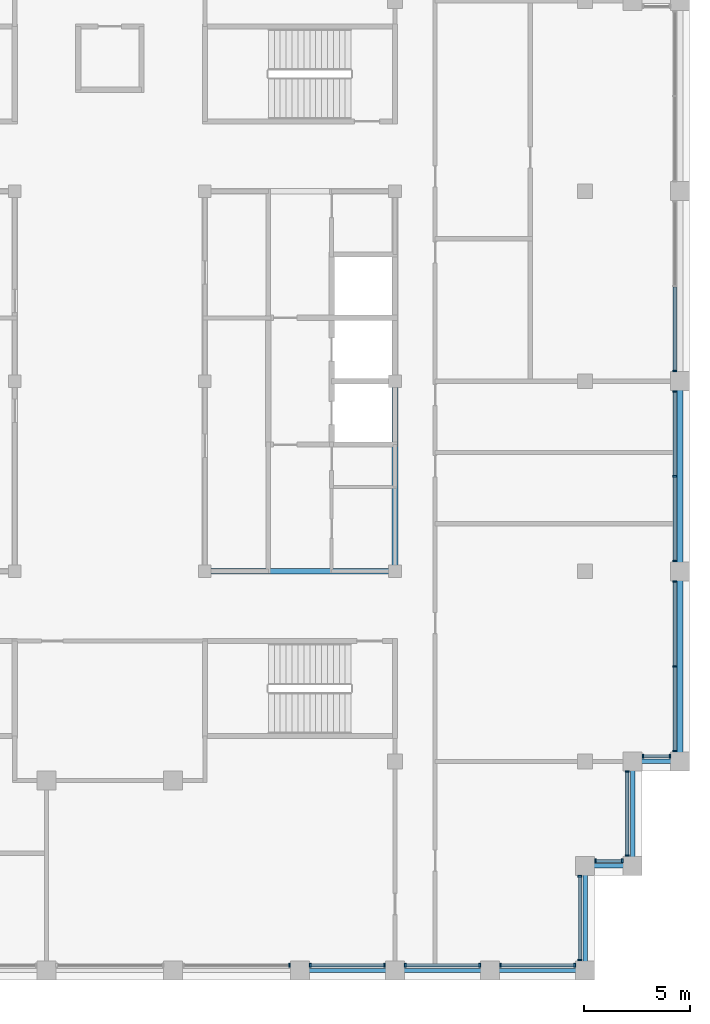
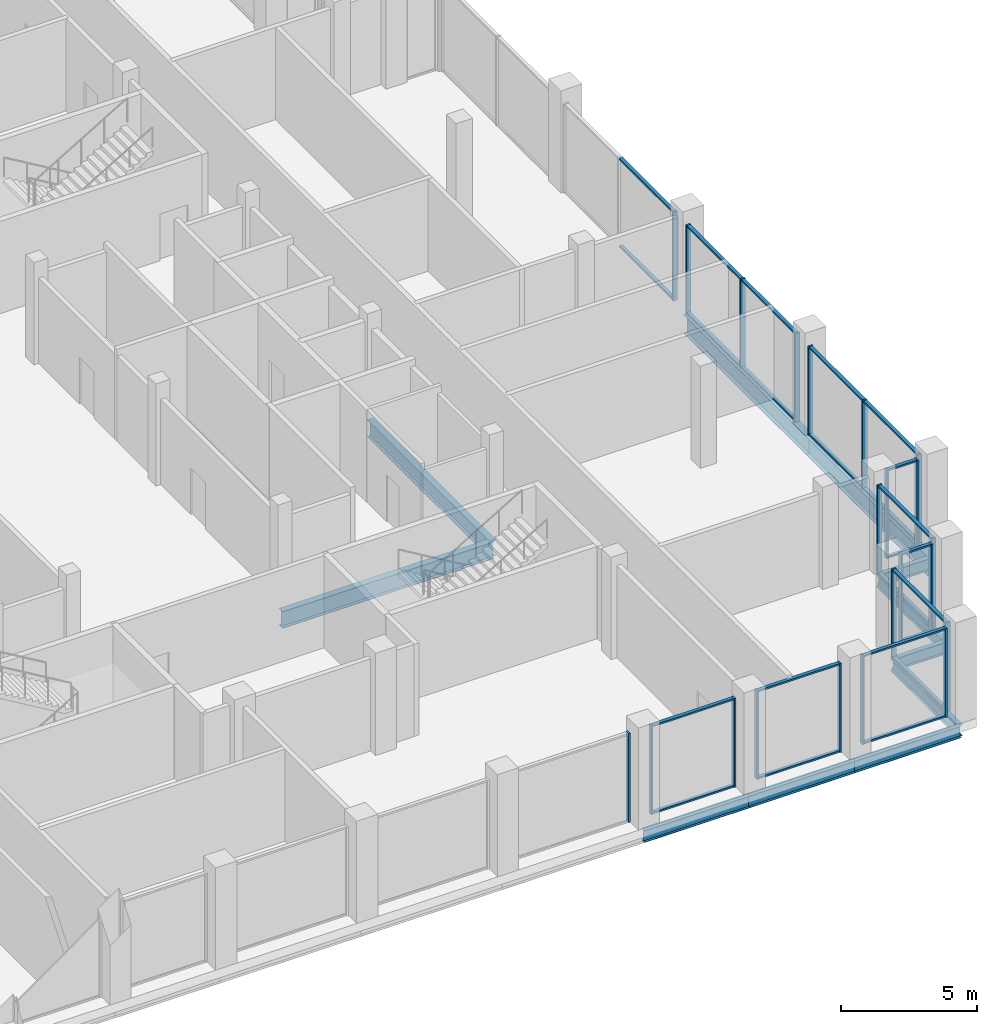
# One storey, part 4 of 13: 46 members, 11 beams, 11 elements without a shape of their own.
"""IFC4 building model written with IfcOpenShell, lengths in metres."""

from ifc_helpers import new_model, si_unit, direction, frame, origin, origin_2d, place, context, subcontext, project, spatial, rectangle, i_section, extrude, material, layer, layer_set, material_profile, profile_set, type_object, element, aggregate, save


model = new_model("IFC4")

# Units and contexts
model_context = context("Model", 3, precision=1e-05, world=origin(), true_north=direction((0.0, 1.0)))
body_context = subcontext(model_context, "Body", "Model", "MODEL_VIEW")
ifc_project = project(units=[si_unit("LENGTHUNIT", "METRE"), si_unit("AREAUNIT", "SQUARE_METRE"), si_unit("VOLUMEUNIT", "CUBIC_METRE"), si_unit("PLANEANGLEUNIT", "RADIAN"), si_unit("MASSUNIT", "GRAM", prefix="KILO")], contexts=[model_context])

# Site, building, storey
site_placement = place(None, origin())
site = spatial("IfcSite", under=ifc_project, at=site_placement, CompositionType="ELEMENT")
building_placement = place(site_placement, origin())
building = spatial("IfcBuilding", under=site, at=building_placement, Name="Corbelhall Arena Tower", CompositionType="ELEMENT")
storey_placement = place(building_placement, frame((0.0, 0.0, 361.0)))
storey = spatial("IfcBuildingStorey", under=building, at=storey_placement, Name="L79", CompositionType="ELEMENT", Elevation=361.0)

# Curtain wall, member
ifc_material_1 = material(Name="Aluminium black anodised", Category="aluminium")
ifc_layer = layer(ifc_material_1, 0.179931640625)
ifc_layer_set = layer_set([ifc_layer], Name="EV-CW3 Crown glazing")
curtain_wall_type = type_object("IfcCurtainWallType", Name="EV-CW3 Crown glazing", PredefinedType="NOTDEFINED", material=ifc_layer_set)
curtain_wall_1_placement = place(storey_placement, origin())
curtain_wall_1 = element("IfcCurtainWall", 1, at=curtain_wall_1_placement, inside=storey, type_object=curtain_wall_type, Name="Curtain wall CW3C", PredefinedType="NOTDEFINED")
ifc_material_profile_1 = material_profile(ifc_material_1, rectangle(XDim=0.199951171875, YDim=0.074951171875, at=origin_2d()))
ifc_profile_set_1 = profile_set([ifc_material_profile_1], Name="Aluminium black anodised")
member_type_1 = type_object("IfcMemberType", Name="EV-CW3-MULLION", PredefinedType="MULLION", material=ifc_profile_set_1)
member_1_placement = place(storey_placement, frame((8.512451171875, -27.64990234375, 0.0), z_axis=(0.0, 0.0, 1.0), x_axis=(0.0, 1.0, 0.0)))
member_1 = element("IfcMember", 2, at=member_1_placement, type_object=member_type_1, Name="CW3C mullion 2", PredefinedType="MULLION", context=body_context, shape_type="SweptSolid", body=[
    extrude(rectangle(XDim=0.199951171875, YDim=0.074951171875, at=origin_2d()), origin(), (0.0, 0.0, 1.0), 3.99951171875),
])
aggregate(curtain_wall_1, [member_1])

# Curtain wall, members
curtain_wall_2_placement = place(storey_placement, origin())
curtain_wall_2 = element("IfcCurtainWall", 3, at=curtain_wall_2_placement, inside=storey, type_object=curtain_wall_type, Name="Curtain wall CW3A", PredefinedType="NOTDEFINED")
member_2_placement = place(storey_placement, frame((9.487548828125, -27.64990234375, 0.0), z_axis=(0.0, 0.0, 1.0), x_axis=(0.0, 1.0, 0.0)))
member_2 = element("IfcMember", 4, at=member_2_placement, type_object=member_type_1, Name="CW3A mullion 1", PredefinedType="MULLION", context=body_context, shape_type="SweptSolid", body=[
    extrude(rectangle(XDim=0.199951171875, YDim=0.074951171875, at=origin_2d()), origin(), (0.0, 0.0, 1.0), 3.99951171875),
])
member_3_placement = place(storey_placement, frame((13.012451171875, -27.64990234375, 0.0), z_axis=(0.0, 0.0, 1.0), x_axis=(0.0, 1.0, 0.0)))
member_3 = element("IfcMember", 5, at=member_3_placement, type_object=member_type_1, Name="CW3A mullion 2", PredefinedType="MULLION", context=body_context, shape_type="SweptSolid", body=[
    extrude(rectangle(XDim=0.199951171875, YDim=0.074951171875, at=origin_2d()), origin(), (0.0, 0.0, 1.0), 3.99951171875),
])

curtain_wall_3_placement = place(storey_placement, origin())
curtain_wall_3 = element("IfcCurtainWall", 6, at=curtain_wall_3_placement, inside=storey, type_object=curtain_wall_type, Name="Curtain wall CW3A", PredefinedType="NOTDEFINED")
member_4_placement = place(storey_placement, frame((13.987548828125, -27.64990234375, 0.0), z_axis=(0.0, 0.0, 1.0), x_axis=(0.0, 1.0, 0.0)))
member_4 = element("IfcMember", 7, at=member_4_placement, type_object=member_type_1, Name="CW3A mullion 1", PredefinedType="MULLION", context=body_context, shape_type="SweptSolid", body=[
    extrude(rectangle(XDim=0.199951171875, YDim=0.074951171875, at=origin_2d()), origin(), (0.0, 0.0, 1.0), 3.99951171875),
])
member_5_placement = place(storey_placement, frame((17.512451171875, -27.64990234375, 0.0), z_axis=(0.0, 0.0, 1.0), x_axis=(0.0, 1.0, 0.0)))
member_5 = element("IfcMember", 8, at=member_5_placement, type_object=member_type_1, Name="CW3A mullion 2", PredefinedType="MULLION", context=body_context, shape_type="SweptSolid", body=[
    extrude(rectangle(XDim=0.199951171875, YDim=0.074951171875, at=origin_2d()), origin(), (0.0, 0.0, 1.0), 3.99951171875),
])

curtain_wall_4_placement = place(storey_placement, origin())
curtain_wall_4 = element("IfcCurtainWall", 9, at=curtain_wall_4_placement, inside=storey, type_object=curtain_wall_type, Name="Curtain wall CW3A", PredefinedType="NOTDEFINED")
member_6_placement = place(storey_placement, frame((18.487548828125, -27.64990234375, 0.0), z_axis=(0.0, 0.0, 1.0), x_axis=(0.0, 1.0, 0.0)))
member_6 = element("IfcMember", 10, at=member_6_placement, type_object=member_type_1, Name="CW3A mullion 1", PredefinedType="MULLION", context=body_context, shape_type="SweptSolid", body=[
    extrude(rectangle(XDim=0.199951171875, YDim=0.074951171875, at=origin_2d()), origin(), (0.0, 0.0, 1.0), 3.99951171875),
])
member_7_placement = place(storey_placement, frame((22.012451171875, -27.64990234375, 0.0), z_axis=(0.0, 0.0, 1.0), x_axis=(0.0, 1.0, 0.0)))
member_7 = element("IfcMember", 11, at=member_7_placement, type_object=member_type_1, Name="CW3A mullion 2", PredefinedType="MULLION", context=body_context, shape_type="SweptSolid", body=[
    extrude(rectangle(XDim=0.199951171875, YDim=0.074951171875, at=origin_2d()), origin(), (0.0, 0.0, 1.0), 3.99951171875),
])

curtain_wall_5_placement = place(storey_placement, origin())
curtain_wall_5 = element("IfcCurtainWall", 12, at=curtain_wall_5_placement, inside=storey, type_object=curtain_wall_type, Name="Curtain wall CW3", PredefinedType="NOTDEFINED")
member_8_placement = place(storey_placement, frame((22.25, -27.41259765625, 0.0), z_axis=(0.0, 0.0, 1.0), x_axis=(-1.0, 0.0, 0.0)))
member_8 = element("IfcMember", 13, at=member_8_placement, type_object=member_type_1, Name="CW3 mullion 1", PredefinedType="MULLION", context=body_context, shape_type="SweptSolid", body=[
    extrude(rectangle(XDim=0.199951171875, YDim=0.074951171875, at=origin_2d()), origin(), (0.0, 0.0, 1.0), 3.99951171875),
])
member_9_placement = place(storey_placement, frame((22.25, -23.4375, 0.0), z_axis=(0.0, 0.0, 1.0), x_axis=(-1.0, 0.0, 0.0)))
member_9 = element("IfcMember", 14, at=member_9_placement, type_object=member_type_1, Name="CW3 mullion 2", PredefinedType="MULLION", context=body_context, shape_type="SweptSolid", body=[
    extrude(rectangle(XDim=0.199951171875, YDim=0.074951171875, at=origin_2d()), origin(), (0.0, 0.0, 1.0), 3.99951171875),
])

curtain_wall_6_placement = place(storey_placement, origin())
curtain_wall_6 = element("IfcCurtainWall", 15, at=curtain_wall_6_placement, inside=storey, type_object=curtain_wall_type, Name="Curtain wall CW3B", PredefinedType="NOTDEFINED")
member_10_placement = place(storey_placement, frame((22.987548828125, -22.699951171875, 0.0), z_axis=(0.0, 0.0, 1.0), x_axis=(0.0, 1.0, 0.0)))
member_10 = element("IfcMember", 16, at=member_10_placement, type_object=member_type_1, Name="CW3B mullion 1", PredefinedType="MULLION", context=body_context, shape_type="SweptSolid", body=[
    extrude(rectangle(XDim=0.199951171875, YDim=0.074951171875, at=origin_2d()), origin(), (0.0, 0.0, 1.0), 3.99951171875),
])
member_11_placement = place(storey_placement, frame((24.262451171875, -22.699951171875, 0.0), z_axis=(0.0, 0.0, 1.0), x_axis=(0.0, 1.0, 0.0)))
member_11 = element("IfcMember", 17, at=member_11_placement, type_object=member_type_1, Name="CW3B mullion 2", PredefinedType="MULLION", context=body_context, shape_type="SweptSolid", body=[
    extrude(rectangle(XDim=0.199951171875, YDim=0.074951171875, at=origin_2d()), origin(), (0.0, 0.0, 1.0), 3.99951171875),
])

curtain_wall_7_placement = place(storey_placement, origin())
curtain_wall_7 = element("IfcCurtainWall", 18, at=curtain_wall_7_placement, inside=storey, type_object=curtain_wall_type, Name="Curtain wall CW3", PredefinedType="NOTDEFINED")
member_12_placement = place(storey_placement, frame((24.5, -22.46240234375, 0.0), z_axis=(0.0, 0.0, 1.0), x_axis=(-1.0, 0.0, 0.0)))
member_12 = element("IfcMember", 19, at=member_12_placement, type_object=member_type_1, Name="CW3 mullion 1", PredefinedType="MULLION", context=body_context, shape_type="SweptSolid", body=[
    extrude(rectangle(XDim=0.199951171875, YDim=0.074951171875, at=origin_2d()), origin(), (0.0, 0.0, 1.0), 3.99951171875),
])
member_13_placement = place(storey_placement, frame((24.5, -18.487548828125, 0.0), z_axis=(0.0, 0.0, 1.0), x_axis=(-1.0, 0.0, 0.0)))
member_13 = element("IfcMember", 20, at=member_13_placement, type_object=member_type_1, Name="CW3 mullion 2", PredefinedType="MULLION", context=body_context, shape_type="SweptSolid", body=[
    extrude(rectangle(XDim=0.199951171875, YDim=0.074951171875, at=origin_2d()), origin(), (0.0, 0.0, 1.0), 3.99951171875),
])

curtain_wall_8_placement = place(storey_placement, origin())
curtain_wall_8 = element("IfcCurtainWall", 21, at=curtain_wall_8_placement, inside=storey, type_object=curtain_wall_type, Name="Curtain wall CW3B", PredefinedType="NOTDEFINED")
member_14_placement = place(storey_placement, frame((25.237548828125, -17.75, 0.0), z_axis=(0.0, 0.0, 1.0), x_axis=(0.0, 1.0, 0.0)))
member_14 = element("IfcMember", 22, at=member_14_placement, type_object=member_type_1, Name="CW3B mullion 1", PredefinedType="MULLION", context=body_context, shape_type="SweptSolid", body=[
    extrude(rectangle(XDim=0.199951171875, YDim=0.074951171875, at=origin_2d()), origin(), (0.0, 0.0, 1.0), 3.99951171875),
])
member_15_placement = place(storey_placement, frame((26.512451171875, -17.75, 0.0), z_axis=(0.0, 0.0, 1.0), x_axis=(0.0, 1.0, 0.0)))
member_15 = element("IfcMember", 23, at=member_15_placement, type_object=member_type_1, Name="CW3B mullion 2", PredefinedType="MULLION", context=body_context, shape_type="SweptSolid", body=[
    extrude(rectangle(XDim=0.199951171875, YDim=0.074951171875, at=origin_2d()), origin(), (0.0, 0.0, 1.0), 3.99951171875),
])

curtain_wall_9_placement = place(storey_placement, origin())
curtain_wall_9 = element("IfcCurtainWall", 24, at=curtain_wall_9_placement, inside=storey, type_object=curtain_wall_type, Name="Curtain wall CW3", PredefinedType="NOTDEFINED")
member_16_placement = place(storey_placement, frame((26.75, -17.512451171875, 0.0), z_axis=(0.0, 0.0, 1.0), x_axis=(-1.0, 0.0, 0.0)))
member_16 = element("IfcMember", 25, at=member_16_placement, type_object=member_type_1, Name="CW3 mullion 1", PredefinedType="MULLION", context=body_context, shape_type="SweptSolid", body=[
    extrude(rectangle(XDim=0.199951171875, YDim=0.074951171875, at=origin_2d()), origin(), (0.0, 0.0, 1.0), 3.99951171875),
])
member_17_placement = place(storey_placement, frame((26.75, -13.5, 0.0), z_axis=(0.0, 0.0, 1.0), x_axis=(-1.0, 0.0, 0.0)))
member_17 = element("IfcMember", 26, at=member_17_placement, type_object=member_type_1, Name="CW3 mullion 2", PredefinedType="MULLION", context=body_context, shape_type="SweptSolid", body=[
    extrude(rectangle(XDim=0.199951171875, YDim=0.074951171875, at=origin_2d()), origin(), (0.0, 0.0, 1.0), 3.99951171875),
])
member_18_placement = place(storey_placement, frame((26.75, -9.487548828125, 0.0), z_axis=(0.0, 0.0, 1.0), x_axis=(-1.0, 0.0, 0.0)))
member_18 = element("IfcMember", 27, at=member_18_placement, type_object=member_type_1, Name="CW3 mullion 3", PredefinedType="MULLION", context=body_context, shape_type="SweptSolid", body=[
    extrude(rectangle(XDim=0.199951171875, YDim=0.074951171875, at=origin_2d()), origin(), (0.0, 0.0, 1.0), 3.99951171875),
])

curtain_wall_10_placement = place(storey_placement, origin())
curtain_wall_10 = element("IfcCurtainWall", 28, at=curtain_wall_10_placement, inside=storey, type_object=curtain_wall_type, Name="Curtain wall CW3", PredefinedType="NOTDEFINED")
member_19_placement = place(storey_placement, frame((26.75, -8.512451171875, 0.0), z_axis=(0.0, 0.0, 1.0), x_axis=(-1.0, 0.0, 0.0)))
member_19 = element("IfcMember", 29, at=member_19_placement, type_object=member_type_1, Name="CW3 mullion 1", PredefinedType="MULLION", context=body_context, shape_type="SweptSolid", body=[
    extrude(rectangle(XDim=0.199951171875, YDim=0.074951171875, at=origin_2d()), origin(), (0.0, 0.0, 1.0), 3.99951171875),
])
member_20_placement = place(storey_placement, frame((26.75, -4.5, 0.0), z_axis=(0.0, 0.0, 1.0), x_axis=(-1.0, 0.0, 0.0)))
member_20 = element("IfcMember", 30, at=member_20_placement, type_object=member_type_1, Name="CW3 mullion 2", PredefinedType="MULLION", context=body_context, shape_type="SweptSolid", body=[
    extrude(rectangle(XDim=0.199951171875, YDim=0.074951171875, at=origin_2d()), origin(), (0.0, 0.0, 1.0), 3.99951171875),
])
member_21_placement = place(storey_placement, frame((26.75, -0.487548828125, 0.0), z_axis=(0.0, 0.0, 1.0), x_axis=(-1.0, 0.0, 0.0)))
member_21 = element("IfcMember", 31, at=member_21_placement, type_object=member_type_1, Name="CW3 mullion 3", PredefinedType="MULLION", context=body_context, shape_type="SweptSolid", body=[
    extrude(rectangle(XDim=0.199951171875, YDim=0.074951171875, at=origin_2d()), origin(), (0.0, 0.0, 1.0), 3.99951171875),
])

# Curtain wall, member
curtain_wall_11_placement = place(storey_placement, origin())
curtain_wall_11 = element("IfcCurtainWall", 32, at=curtain_wall_11_placement, inside=storey, type_object=curtain_wall_type, Name="Curtain wall CW3", PredefinedType="NOTDEFINED")
member_22_placement = place(storey_placement, frame((26.75, 0.487548828125, 0.0), z_axis=(0.0, 0.0, 1.0), x_axis=(-1.0, 0.0, 0.0)))
member_22 = element("IfcMember", 33, at=member_22_placement, type_object=member_type_1, Name="CW3 mullion 1", PredefinedType="MULLION", context=body_context, shape_type="SweptSolid", body=[
    extrude(rectangle(XDim=0.199951171875, YDim=0.074951171875, at=origin_2d()), origin(), (0.0, 0.0, 1.0), 3.99951171875),
])

# Member
ifc_material_profile_2 = material_profile(ifc_material_1, rectangle(XDim=0.14990234375, YDim=0.074951171875, at=origin_2d()))
ifc_profile_set_2 = profile_set([ifc_material_profile_2], Name="Aluminium black anodised")
member_type_2 = type_object("IfcMemberType", Name="EV-CW3-TRANSOM", PredefinedType="USERDEFINED", material=ifc_profile_set_2)
member_23_placement = place(storey_placement, frame((9.52490234375, -27.64990234375, 0.03759765625), z_axis=(1.0, 0.0, 0.0), x_axis=(0.0, 1.0, 0.0)))
member_23 = element("IfcMember", 34, at=member_23_placement, type_object=member_type_2, Name="CW3A transom 1.1", ObjectType="transom", PredefinedType="USERDEFINED", context=body_context, shape_type="SweptSolid", body=[
    extrude(rectangle(XDim=0.14990234375, YDim=0.074951171875, at=origin_2d()), origin(), (0.0, 0.0, 1.0), 3.4501953125),
])

member_24_placement = place(storey_placement, frame((9.52490234375, -27.64990234375, 3.962158203125), z_axis=(1.0, 0.0, 0.0), x_axis=(0.0, 1.0, 0.0)))
member_24 = element("IfcMember", 35, at=member_24_placement, type_object=member_type_2, Name="CW3A transom 1.2", ObjectType="transom", PredefinedType="USERDEFINED", context=body_context, shape_type="SweptSolid", body=[
    extrude(rectangle(XDim=0.14990234375, YDim=0.074951171875, at=origin_2d()), origin(), (0.0, 0.0, 1.0), 3.4501953125),
])

aggregate(curtain_wall_2, [member_2, member_3, member_23, member_24])

member_25_placement = place(storey_placement, frame((14.02490234375, -27.64990234375, 0.03759765625), z_axis=(1.0, 0.0, 0.0), x_axis=(0.0, 1.0, 0.0)))
member_25 = element("IfcMember", 36, at=member_25_placement, type_object=member_type_2, Name="CW3A transom 1.1", ObjectType="transom", PredefinedType="USERDEFINED", context=body_context, shape_type="SweptSolid", body=[
    extrude(rectangle(XDim=0.14990234375, YDim=0.074951171875, at=origin_2d()), origin(), (0.0, 0.0, 1.0), 3.4501953125),
])

member_26_placement = place(storey_placement, frame((14.02490234375, -27.64990234375, 3.962158203125), z_axis=(1.0, 0.0, 0.0), x_axis=(0.0, 1.0, 0.0)))
member_26 = element("IfcMember", 37, at=member_26_placement, type_object=member_type_2, Name="CW3A transom 1.2", ObjectType="transom", PredefinedType="USERDEFINED", context=body_context, shape_type="SweptSolid", body=[
    extrude(rectangle(XDim=0.14990234375, YDim=0.074951171875, at=origin_2d()), origin(), (0.0, 0.0, 1.0), 3.4501953125),
])

aggregate(curtain_wall_3, [member_4, member_5, member_25, member_26])

member_27_placement = place(storey_placement, frame((18.52490234375, -27.64990234375, 0.03759765625), z_axis=(1.0, 0.0, 0.0), x_axis=(0.0, 1.0, 0.0)))
member_27 = element("IfcMember", 38, at=member_27_placement, type_object=member_type_2, Name="CW3A transom 1.1", ObjectType="transom", PredefinedType="USERDEFINED", context=body_context, shape_type="SweptSolid", body=[
    extrude(rectangle(XDim=0.14990234375, YDim=0.074951171875, at=origin_2d()), origin(), (0.0, 0.0, 1.0), 3.4501953125),
])

member_28_placement = place(storey_placement, frame((18.52490234375, -27.64990234375, 3.962158203125), z_axis=(1.0, 0.0, 0.0), x_axis=(0.0, 1.0, 0.0)))
member_28 = element("IfcMember", 39, at=member_28_placement, type_object=member_type_2, Name="CW3A transom 1.2", ObjectType="transom", PredefinedType="USERDEFINED", context=body_context, shape_type="SweptSolid", body=[
    extrude(rectangle(XDim=0.14990234375, YDim=0.074951171875, at=origin_2d()), origin(), (0.0, 0.0, 1.0), 3.4501953125),
])

aggregate(curtain_wall_4, [member_6, member_7, member_27, member_28])

member_29_placement = place(storey_placement, frame((22.25, -27.375, 0.03759765625), z_axis=(0.0, 1.0, 0.0), x_axis=(-1.0, 0.0, 0.0)))
member_29 = element("IfcMember", 40, at=member_29_placement, type_object=member_type_2, Name="CW3 transom 1.1", ObjectType="transom", PredefinedType="USERDEFINED", context=body_context, shape_type="SweptSolid", body=[
    extrude(rectangle(XDim=0.14990234375, YDim=0.074951171875, at=origin_2d()), origin(), (0.0, 0.0, 1.0), 3.89990234375),
])

member_30_placement = place(storey_placement, frame((22.25, -27.375, 3.962158203125), z_axis=(0.0, 1.0, 0.0), x_axis=(-1.0, 0.0, 0.0)))
member_30 = element("IfcMember", 41, at=member_30_placement, type_object=member_type_2, Name="CW3 transom 1.2", ObjectType="transom", PredefinedType="USERDEFINED", context=body_context, shape_type="SweptSolid", body=[
    extrude(rectangle(XDim=0.14990234375, YDim=0.074951171875, at=origin_2d()), origin(), (0.0, 0.0, 1.0), 3.89990234375),
])

aggregate(curtain_wall_5, [member_8, member_9, member_29, member_30])

member_31_placement = place(storey_placement, frame((23.02490234375, -22.699951171875, 0.03759765625), z_axis=(1.0, 0.0, 0.0), x_axis=(0.0, 1.0, 0.0)))
member_31 = element("IfcMember", 42, at=member_31_placement, type_object=member_type_2, Name="CW3B transom 1.1", ObjectType="transom", PredefinedType="USERDEFINED", context=body_context, shape_type="SweptSolid", body=[
    extrude(rectangle(XDim=0.14990234375, YDim=0.074951171875, at=origin_2d()), origin(), (0.0, 0.0, 1.0), 1.2001953125),
])

member_32_placement = place(storey_placement, frame((23.02490234375, -22.699951171875, 3.962158203125), z_axis=(1.0, 0.0, 0.0), x_axis=(0.0, 1.0, 0.0)))
member_32 = element("IfcMember", 43, at=member_32_placement, type_object=member_type_2, Name="CW3B transom 1.2", ObjectType="transom", PredefinedType="USERDEFINED", context=body_context, shape_type="SweptSolid", body=[
    extrude(rectangle(XDim=0.14990234375, YDim=0.074951171875, at=origin_2d()), origin(), (0.0, 0.0, 1.0), 1.2001953125),
])

aggregate(curtain_wall_6, [member_10, member_11, member_31, member_32])

member_33_placement = place(storey_placement, frame((24.5, -22.425048828125, 0.03759765625), z_axis=(0.0, 1.0, 0.0), x_axis=(-1.0, 0.0, 0.0)))
member_33 = element("IfcMember", 44, at=member_33_placement, type_object=member_type_2, Name="CW3 transom 1.1", ObjectType="transom", PredefinedType="USERDEFINED", context=body_context, shape_type="SweptSolid", body=[
    extrude(rectangle(XDim=0.14990234375, YDim=0.074951171875, at=origin_2d()), origin(), (0.0, 0.0, 1.0), 3.900146484375),
])

member_34_placement = place(storey_placement, frame((24.5, -22.425048828125, 3.962158203125), z_axis=(0.0, 1.0, 0.0), x_axis=(-1.0, 0.0, 0.0)))
member_34 = element("IfcMember", 45, at=member_34_placement, type_object=member_type_2, Name="CW3 transom 1.2", ObjectType="transom", PredefinedType="USERDEFINED", context=body_context, shape_type="SweptSolid", body=[
    extrude(rectangle(XDim=0.14990234375, YDim=0.074951171875, at=origin_2d()), origin(), (0.0, 0.0, 1.0), 3.900146484375),
])

aggregate(curtain_wall_7, [member_12, member_13, member_33, member_34])

member_35_placement = place(storey_placement, frame((25.27490234375, -17.75, 0.03759765625), z_axis=(1.0, 0.0, 0.0), x_axis=(0.0, 1.0, 0.0)))
member_35 = element("IfcMember", 46, at=member_35_placement, type_object=member_type_2, Name="CW3B transom 1.1", ObjectType="transom", PredefinedType="USERDEFINED", context=body_context, shape_type="SweptSolid", body=[
    extrude(rectangle(XDim=0.14990234375, YDim=0.074951171875, at=origin_2d()), origin(), (0.0, 0.0, 1.0), 1.2001953125),
])

member_36_placement = place(storey_placement, frame((25.27490234375, -17.75, 3.962158203125), z_axis=(1.0, 0.0, 0.0), x_axis=(0.0, 1.0, 0.0)))
member_36 = element("IfcMember", 47, at=member_36_placement, type_object=member_type_2, Name="CW3B transom 1.2", ObjectType="transom", PredefinedType="USERDEFINED", context=body_context, shape_type="SweptSolid", body=[
    extrude(rectangle(XDim=0.14990234375, YDim=0.074951171875, at=origin_2d()), origin(), (0.0, 0.0, 1.0), 1.2001953125),
])

aggregate(curtain_wall_8, [member_14, member_15, member_35, member_36])

member_37_placement = place(storey_placement, frame((26.75, -17.47509765625, 0.03759765625), z_axis=(0.0, 1.0, 0.0), x_axis=(-1.0, 0.0, 0.0)))
member_37 = element("IfcMember", 48, at=member_37_placement, type_object=member_type_2, Name="CW3 transom 1.1", ObjectType="transom", PredefinedType="USERDEFINED", context=body_context, shape_type="SweptSolid", body=[
    extrude(rectangle(XDim=0.14990234375, YDim=0.074951171875, at=origin_2d()), origin(), (0.0, 0.0, 1.0), 3.9375),
])

member_38_placement = place(storey_placement, frame((26.75, -17.47509765625, 3.962158203125), z_axis=(0.0, 1.0, 0.0), x_axis=(-1.0, 0.0, 0.0)))
member_38 = element("IfcMember", 49, at=member_38_placement, type_object=member_type_2, Name="CW3 transom 1.2", ObjectType="transom", PredefinedType="USERDEFINED", context=body_context, shape_type="SweptSolid", body=[
    extrude(rectangle(XDim=0.14990234375, YDim=0.074951171875, at=origin_2d()), origin(), (0.0, 0.0, 1.0), 3.9375),
])

member_39_placement = place(storey_placement, frame((26.75, -13.46240234375, 0.03759765625), z_axis=(0.0, 1.0, 0.0), x_axis=(-1.0, 0.0, 0.0)))
member_39 = element("IfcMember", 50, at=member_39_placement, type_object=member_type_2, Name="CW3 transom 2.1", ObjectType="transom", PredefinedType="USERDEFINED", context=body_context, shape_type="SweptSolid", body=[
    extrude(rectangle(XDim=0.14990234375, YDim=0.074951171875, at=origin_2d()), origin(), (0.0, 0.0, 1.0), 3.9375),
])

member_40_placement = place(storey_placement, frame((26.75, -13.46240234375, 3.962158203125), z_axis=(0.0, 1.0, 0.0), x_axis=(-1.0, 0.0, 0.0)))
member_40 = element("IfcMember", 51, at=member_40_placement, type_object=member_type_2, Name="CW3 transom 2.2", ObjectType="transom", PredefinedType="USERDEFINED", context=body_context, shape_type="SweptSolid", body=[
    extrude(rectangle(XDim=0.14990234375, YDim=0.074951171875, at=origin_2d()), origin(), (0.0, 0.0, 1.0), 3.9375),
])

aggregate(curtain_wall_9, [member_16, member_17, member_18, member_37, member_38, member_39, member_40])

member_41_placement = place(storey_placement, frame((26.75, -8.47509765625, 0.03759765625), z_axis=(0.0, 1.0, 0.0), x_axis=(-1.0, 0.0, 0.0)))
member_41 = element("IfcMember", 52, at=member_41_placement, type_object=member_type_2, Name="CW3 transom 1.1", ObjectType="transom", PredefinedType="USERDEFINED", context=body_context, shape_type="SweptSolid", body=[
    extrude(rectangle(XDim=0.14990234375, YDim=0.074951171875, at=origin_2d()), origin(), (0.0, 0.0, 1.0), 3.9375),
])

member_42_placement = place(storey_placement, frame((26.75, -8.47509765625, 3.962158203125), z_axis=(0.0, 1.0, 0.0), x_axis=(-1.0, 0.0, 0.0)))
member_42 = element("IfcMember", 53, at=member_42_placement, type_object=member_type_2, Name="CW3 transom 1.2", ObjectType="transom", PredefinedType="USERDEFINED", context=body_context, shape_type="SweptSolid", body=[
    extrude(rectangle(XDim=0.14990234375, YDim=0.074951171875, at=origin_2d()), origin(), (0.0, 0.0, 1.0), 3.9375),
])

member_43_placement = place(storey_placement, frame((26.75, -4.46240234375, 0.03759765625), z_axis=(0.0, 1.0, 0.0), x_axis=(-1.0, 0.0, 0.0)))
member_43 = element("IfcMember", 54, at=member_43_placement, type_object=member_type_2, Name="CW3 transom 2.1", ObjectType="transom", PredefinedType="USERDEFINED", context=body_context, shape_type="SweptSolid", body=[
    extrude(rectangle(XDim=0.14990234375, YDim=0.074951171875, at=origin_2d()), origin(), (0.0, 0.0, 1.0), 3.9375),
])

member_44_placement = place(storey_placement, frame((26.75, -4.46240234375, 3.962158203125), z_axis=(0.0, 1.0, 0.0), x_axis=(-1.0, 0.0, 0.0)))
member_44 = element("IfcMember", 55, at=member_44_placement, type_object=member_type_2, Name="CW3 transom 2.2", ObjectType="transom", PredefinedType="USERDEFINED", context=body_context, shape_type="SweptSolid", body=[
    extrude(rectangle(XDim=0.14990234375, YDim=0.074951171875, at=origin_2d()), origin(), (0.0, 0.0, 1.0), 3.9375),
])

aggregate(curtain_wall_10, [member_19, member_20, member_21, member_41, member_42, member_43, member_44])

member_45_placement = place(storey_placement, frame((26.75, 0.52490234375, 0.03759765625), z_axis=(0.0, 1.0, 0.0), x_axis=(-1.0, 0.0, 0.0)))
member_45 = element("IfcMember", 56, at=member_45_placement, type_object=member_type_2, Name="CW3 transom 1.1", ObjectType="transom", PredefinedType="USERDEFINED", context=body_context, shape_type="SweptSolid", body=[
    extrude(rectangle(XDim=0.14990234375, YDim=0.074951171875, at=origin_2d()), origin(), (0.0, 0.0, 1.0), 3.9375),
])

member_46_placement = place(storey_placement, frame((26.75, 0.52490234375, 3.962158203125), z_axis=(0.0, 1.0, 0.0), x_axis=(-1.0, 0.0, 0.0)))
member_46 = element("IfcMember", 57, at=member_46_placement, type_object=member_type_2, Name="CW3 transom 1.2", ObjectType="transom", PredefinedType="USERDEFINED", context=body_context, shape_type="SweptSolid", body=[
    extrude(rectangle(XDim=0.14990234375, YDim=0.074951171875, at=origin_2d()), origin(), (0.0, 0.0, 1.0), 3.9375),
])

aggregate(curtain_wall_11, [member_22, member_45, member_46])

# Beams
ifc_material_2 = material(Name="Steel ASTM A992 Gr50", Category="steel")
ifc_material_profile_3 = material_profile(ifc_material_2, i_section(OverallWidth=0.2666015625, OverallDepth=0.761962890625, WebThickness=0.014404296875, FlangeThickness=0.021484375, at=origin_2d()))
ifc_profile_set_3 = profile_set([ifc_material_profile_3], Name="Steel ASTM A992 Gr50")
beam_type_1 = type_object("IfcBeamType", Name="ST-BEAM-W30x116", PredefinedType="BEAM", material=ifc_profile_set_3)
for number, where, z_axis, x_axis, name in (
    (58, (13.5, -9.0, -0.781494140625), (0.0, 1.0, 0.0), (-1.0, 0.0, 0.0), "Beam CEE 9"),
    (59, (4.5, -9.0, -0.781494140625), (1.0, 0.0, 0.0), (0.0, 1.0, 0.0), "Beam CEE 11"),
):
    element("IfcBeam", number, at=place(storey_placement, frame(where, z_axis=z_axis, x_axis=x_axis)), inside=storey, type_object=beam_type_1, Name=name, PredefinedType="BEAM", context=body_context, shape_type="SweptSolid", body=[
        extrude(i_section(OverallWidth=0.2666015625, OverallDepth=0.761962890625, WebThickness=0.014404296875, FlangeThickness=0.021484375, at=origin_2d()), origin(), (0.0, 0.0, 1.0), 9.0),
    ])
ifc_material_profile_4 = material_profile(ifc_material_2, i_section(OverallWidth=0.2099609375, OverallDepth=0.535888671875, WebThickness=0.010986328125, FlangeThickness=0.017333984375, at=origin_2d()))
ifc_profile_set_4 = profile_set([ifc_material_profile_4], Name="Steel ASTM A992 Gr50")
beam_type_2 = type_object("IfcBeamType", Name="ST-SPANDREL-W21x68", PredefinedType="SPANDREL", material=ifc_profile_set_4)
beam_1_placement = place(storey_placement, frame((27.0, -18.0, -0.66845703125), z_axis=(-1.0, 0.0, 0.0), x_axis=(0.0, -1.0, 0.0)))
element("IfcBeam", 60, at=beam_1_placement, inside=storey, type_object=beam_type_2, Name="Beam SP 5", PredefinedType="SPANDREL", context=body_context, shape_type="SweptSolid", body=[
    extrude(i_section(OverallWidth=0.2099609375, OverallDepth=0.535888671875, WebThickness=0.010986328125, FlangeThickness=0.017333984375, at=origin_2d()), origin(), (0.0, 0.0, 1.0), 2.25),
])
for number, where, z_axis, x_axis, name in (
    (61, (13.5, -27.89990234375, -0.66845703125), (-1.0, 0.0, 0.0), (0.0, -1.0, 0.0), "Beam SP 18"),
    (62, (18.0, -27.89990234375, -0.66845703125), (-1.0, 0.0, 0.0), (0.0, -1.0, 0.0), "Beam SP 19"),
    (63, (22.5, -27.89990234375, -0.66845703125), (-1.0, 0.0, 0.0), (0.0, -1.0, 0.0), "Beam SP 20"),
):
    element("IfcBeam", number, at=place(storey_placement, frame(where, z_axis=z_axis, x_axis=x_axis)), inside=storey, type_object=beam_type_2, Name=name, PredefinedType="SPANDREL", context=body_context, shape_type="SweptSolid", body=[
        extrude(i_section(OverallWidth=0.2099609375, OverallDepth=0.535888671875, WebThickness=0.010986328125, FlangeThickness=0.017333984375, at=origin_2d()), origin(), (0.0, 0.0, 1.0), 4.5),
    ])
beam_2_placement = place(storey_placement, frame((22.5, -22.949951171875, -0.66845703125), z_axis=(0.0, -1.0, 0.0), x_axis=(1.0, 0.0, 0.0)))
element("IfcBeam", 64, at=beam_2_placement, inside=storey, type_object=beam_type_2, Name="Beam SP 37", PredefinedType="SPANDREL", context=body_context, shape_type="SweptSolid", body=[
    extrude(i_section(OverallWidth=0.2099609375, OverallDepth=0.535888671875, WebThickness=0.010986328125, FlangeThickness=0.017333984375, at=origin_2d()), origin(), (0.0, 0.0, 1.0), 4.949951171875),
])
beam_3_placement = place(storey_placement, frame((24.75, -22.949951171875, -0.66845703125), z_axis=(-1.0, 0.0, 0.0), x_axis=(0.0, -1.0, 0.0)))
element("IfcBeam", 65, at=beam_3_placement, inside=storey, type_object=beam_type_2, Name="Beam SP 38", PredefinedType="SPANDREL", context=body_context, shape_type="SweptSolid", body=[
    extrude(i_section(OverallWidth=0.2099609375, OverallDepth=0.535888671875, WebThickness=0.010986328125, FlangeThickness=0.017333984375, at=origin_2d()), origin(), (0.0, 0.0, 1.0), 2.25),
])
beam_4_placement = place(storey_placement, frame((24.75, -18.0, -0.66845703125), z_axis=(0.0, -1.0, 0.0), x_axis=(1.0, 0.0, 0.0)))
element("IfcBeam", 66, at=beam_4_placement, inside=storey, type_object=beam_type_2, Name="Beam SP 39", PredefinedType="SPANDREL", context=body_context, shape_type="SweptSolid", body=[
    extrude(i_section(OverallWidth=0.2099609375, OverallDepth=0.535888671875, WebThickness=0.010986328125, FlangeThickness=0.017333984375, at=origin_2d()), origin(), (0.0, 0.0, 1.0), 4.949951171875),
])
ifc_material_profile_5 = material_profile(ifc_material_2, i_section(OverallWidth=0.2919921875, OverallDepth=0.845703125, WebThickness=0.015380859375, FlangeThickness=0.0244140625, at=origin_2d()))
ifc_profile_set_5 = profile_set([ifc_material_profile_5], Name="Steel ASTM A992 Gr50")
beam_type_3 = type_object("IfcBeamType", Name="ST-SPANDREL-W33x141", PredefinedType="SPANDREL", material=ifc_profile_set_5)
for number, where, z_axis, x_axis, name in (
    (67, (27.0, 0.0, -0.8232421875), (0.0, -1.0, 0.0), (1.0, 0.0, 0.0), "Beam SP 1"),
    (68, (27.0, -9.0, -0.8232421875), (0.0, -1.0, 0.0), (1.0, 0.0, 0.0), "Beam SP 4"),
):
    element("IfcBeam", number, at=place(storey_placement, frame(where, z_axis=z_axis, x_axis=x_axis)), inside=storey, type_object=beam_type_3, Name=name, PredefinedType="SPANDREL", context=body_context, shape_type="SweptSolid", body=[
        extrude(i_section(OverallWidth=0.2919921875, OverallDepth=0.845703125, WebThickness=0.015380859375, FlangeThickness=0.0244140625, at=origin_2d()), origin(), (0.0, 0.0, 1.0), 9.0),
    ])

save(model, "model.ifc")
